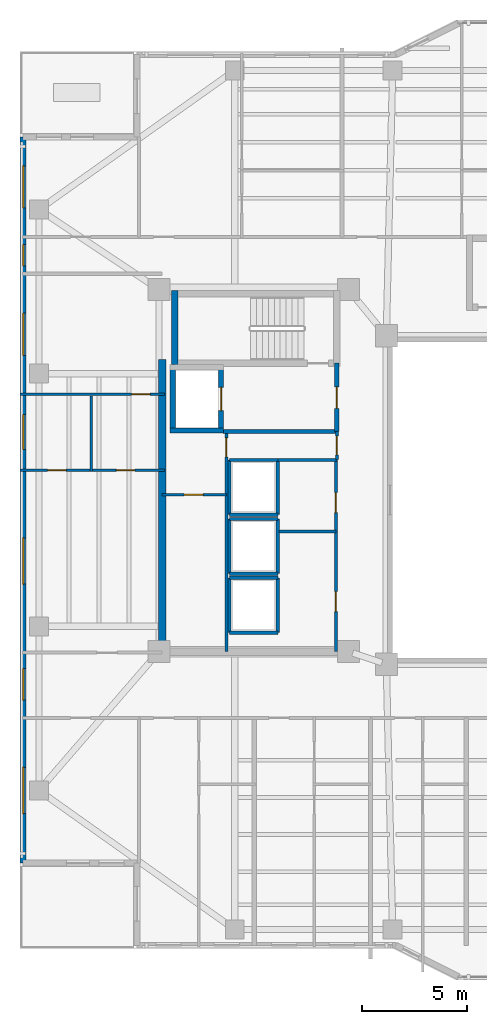
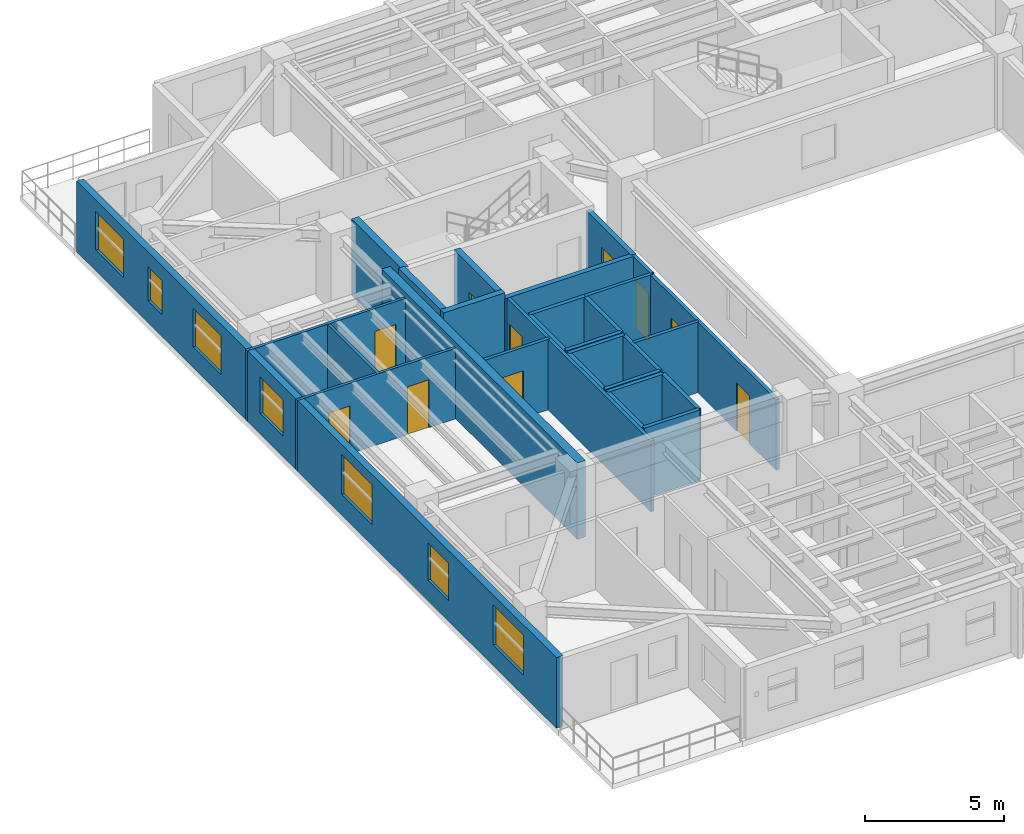
# One storey, part 7 of 17: 29 walls, 10 doors, 7 windows, 17 openings.
"""IFC4 building model written with IfcOpenShell, lengths in metres."""

import ifcopenshell
import ifcopenshell.guid

model = None  # the IFC model being written
_history = None  # IfcOwnerHistory: only IFC2X3 demands one
_inside = {}  # id of a spatial element -> (the spatial element, [elements in it])
_under = {}  # id of a project, library or spatial element -> (it, [spatial elements below it])
_declared = {}  # id of a project -> (the project, [libraries it declares])
_typed = {}  # id of a type object -> (the type object, [elements of that type])
_made_of = {}  # id of a material, layer set ... -> (it, [elements and type objects made of it])


def new_model(schema):
    """Start an empty IFC model of exactly this schema.

    Asked for "IFC4X3", IfcOpenShell would pick the latest addendum, in which some entities
    have other attributes; the version numbers below select the first issue.
    IFC2X3 requires an IfcOwnerHistory on every rooted entity: one is made here for all.
    """
    global model, _history
    if schema == "IFC4X3":
        model = ifcopenshell.file(schema_version=(4, 3, 0, 0))
    else:
        model = ifcopenshell.file(schema=schema)
    _inside.clear()
    _under.clear()
    _declared.clear()
    _typed.clear()
    _made_of.clear()
    _history = None
    if model.schema == "IFC2X3":
        org = make("IfcOrganization", Name="unknown")
        user = make(
            "IfcPersonAndOrganization",
            ThePerson=make("IfcPerson", FamilyName="unknown"),
            TheOrganization=org,
        )
        app = make(
            "IfcApplication",
            ApplicationDeveloper=org,
            Version="unknown",
            ApplicationFullName="unknown",
            ApplicationIdentifier="unknown",
        )
        _history = make(
            "IfcOwnerHistory",
            OwningUser=user,
            OwningApplication=app,
            ChangeAction="ADDED",
            CreationDate=0,
        )
    return model


def make(cls, **values):
    """One entity of the class cls with the attributes given. An attribute that is None is left unset."""
    return model.create_entity(
        cls, **{name: value for name, value in values.items() if value is not None}
    )


def rooted(cls, **values):
    """An entity with a GlobalId (a new one), such as an element, a storey or a relation."""
    return make(cls, GlobalId=ifcopenshell.guid.new(), OwnerHistory=_history, **values)


def si_unit(unit_type, name, prefix=None):
    """IfcSIUnit, for example si_unit("LENGTHUNIT", "METRE", prefix="MILLI")."""
    return make("IfcSIUnit", UnitType=unit_type, Prefix=prefix, Name=name)


def assignment(units):
    """IfcUnitAssignment: the units of a project."""
    return None if units is None else make("IfcUnitAssignment", Units=units)


def point(xyz):
    """IfcCartesianPoint."""
    return None if xyz is None else make("IfcCartesianPoint", Coordinates=xyz)


def direction(xyz):
    """IfcDirection."""
    return None if xyz is None else make("IfcDirection", DirectionRatios=xyz)


def frame(location, z_axis=None, x_axis=None):
    """IfcAxis2Placement3D, a coordinate frame: its origin and axes. An axis left out is left unset."""
    return make(
        "IfcAxis2Placement3D",
        Location=point(location),
        Axis=direction(z_axis),
        RefDirection=direction(x_axis),
    )


def frame_2d(location, x_axis=None):
    """IfcAxis2Placement2D, a coordinate frame in the plane: its origin and x axis."""
    return make(
        "IfcAxis2Placement2D", Location=point(location), RefDirection=direction(x_axis)
    )


def origin():
    """The frame at (0, 0, 0) with its axes left unset."""
    return frame((0.0, 0.0, 0.0))


def place(relative_to, where):
    """IfcLocalPlacement: puts the frame where relative to a parent placement (None: the world)."""
    return make(
        "IfcLocalPlacement", PlacementRelTo=relative_to, RelativePlacement=where
    )


def context(
    kind, dimensions, precision=None, world=None, true_north=None, identifier=None
):
    """IfcGeometricRepresentationContext, for example the 3D "Model" context."""
    return make(
        "IfcGeometricRepresentationContext",
        ContextIdentifier=identifier,
        ContextType=kind,
        CoordinateSpaceDimension=dimensions,
        Precision=precision,
        WorldCoordinateSystem=world,
        TrueNorth=true_north,
    )


def subcontext(parent, identifier, kind, view, scale=None):
    """IfcGeometricRepresentationSubContext, for example "Body" below "Model"."""
    return make(
        "IfcGeometricRepresentationSubContext",
        ContextIdentifier=identifier,
        ContextType=kind,
        ParentContext=parent,
        TargetScale=scale,
        TargetView=view,
    )


def project(units=None, contexts=None):
    """IfcProject with its units and contexts."""
    return rooted(
        "IfcProject",
        Name="project",
        RepresentationContexts=contexts,
        UnitsInContext=assignment(units),
    )


def spatial(cls, under=None, at=None, **own):
    """A site, building, storey or space (cls), placed at a placement, below another one or the project."""
    s = rooted(cls, ObjectPlacement=at, **own)
    if under is not None:
        _under.setdefault(under.id(), (under, []))[1].append(s)
    return s


def profile(cls, at=None, kind="AREA", **sizes):
    """A parametric profile (cls). Its sizes go by their IFC names, for example OverallWidth=200.0."""
    return make(cls, ProfileType=kind, Position=at, **sizes)


def rectangle(**sizes):
    """IfcRectangleProfileDef."""
    return profile("IfcRectangleProfileDef", **sizes)


def extrude(swept, where, along, depth):
    """IfcExtrudedAreaSolid: the profile swept, set in the frame where, extruded along a direction by depth."""
    return make(
        "IfcExtrudedAreaSolid",
        SweptArea=swept,
        Position=where,
        ExtrudedDirection=direction(along),
        Depth=depth,
    )


def shape(context_of_items, identifier, shape_type, items):
    """IfcShapeRepresentation: the items that make up one representation, for example the "Body"."""
    return make(
        "IfcShapeRepresentation",
        ContextOfItems=context_of_items,
        RepresentationIdentifier=identifier,
        RepresentationType=shape_type,
        Items=items,
    )


def material(Name=None, Category=None):
    """IfcMaterial."""
    return make("IfcMaterial", Name=Name, Category=Category)


def layer(
    of_material, thickness, ventilated=None, Name=None, Category=None, Priority=None
):
    """IfcMaterialLayer: one layer of a wall or slab, of a material (None: an air gap)."""
    return make(
        "IfcMaterialLayer",
        Material=of_material,
        LayerThickness=thickness,
        IsVentilated=ventilated,
        Name=Name,
        Category=Category,
        Priority=Priority,
    )


def layer_set(layers, Name=None):
    """IfcMaterialLayerSet."""
    return make("IfcMaterialLayerSet", MaterialLayers=layers, LayerSetName=Name)


def made_of(thing, what):
    """Note that an element or type object is made of a material, layer set ...; save() writes the relation."""
    if what is not None:
        _made_of.setdefault(what.id(), (what, []))[1].append(thing)
    return thing


def type_object(cls, material=None, **own):
    """A type object (cls), such as IfcWallType, which elements share."""
    return made_of(rooted(cls, **own), material)


def element(
    cls,
    number,
    at=None,
    inside=None,
    cuts=None,
    type_object=None,
    material=None,
    context=None,
    identifier="Body",
    shape_type=None,
    held_by="IfcProductDefinitionShape",
    body=None,
    shapes=None,
    **own,
):
    """One element of the class cls, such as IfcWall. Its Tag is "e" and its number.

    at: its placement. inside: the storey or other place that contains it. cuts: it is an
    opening in that element (IfcRelVoidsElement). A single representation is given by context,
    identifier, shape_type and body (its items); several are given by shapes. held_by: the class
    of the entity that holds the representations. save() writes the other relations.
    """
    e = rooted(cls, Tag="e%d" % number, ObjectPlacement=at, **own)
    if body is not None:
        shapes = [shape(context, identifier, shape_type, body)]
    if shapes is not None:
        e.Representation = make(held_by, Representations=shapes)
    if inside is not None:
        _inside.setdefault(inside.id(), (inside, []))[1].append(e)
    if cuts is not None:
        rooted(
            "IfcRelVoidsElement", RelatingBuildingElement=cuts, RelatedOpeningElement=e
        )
    if type_object is not None:
        _typed.setdefault(type_object.id(), (type_object, []))[1].append(e)
    return made_of(e, material)


def fill(opening, filler):
    """IfcRelFillsElement: the door or window that sits in an opening."""
    return rooted(
        "IfcRelFillsElement",
        RelatingOpeningElement=opening,
        RelatedBuildingElement=filler,
    )


def aggregate(whole, parts):
    """IfcRelAggregates: a whole, such as a stair, and the parts it consists of."""
    return rooted("IfcRelAggregates", RelatingObject=whole, RelatedObjects=parts)


def save(model, path):
    """Write the relations noted so far, then the file.

    IfcRelAggregates (storeys below a building ...), IfcRelContainedInSpatialStructure (elements
    in a storey), IfcRelDefinesByType, IfcRelAssociatesMaterial and IfcRelDeclares: one each for
    every whole, place, type object, material and project.
    """
    for whole, parts in _under.values():
        aggregate(whole, parts)
    for where, things in _inside.values():
        rooted(
            "IfcRelContainedInSpatialStructure",
            RelatedElements=things,
            RelatingStructure=where,
        )
    for kind, things in _typed.values():
        rooted("IfcRelDefinesByType", RelatedObjects=things, RelatingType=kind)
    for what, things in _made_of.values():
        rooted("IfcRelAssociatesMaterial", RelatedObjects=things, RelatingMaterial=what)
    for by, libraries in _declared.values():
        rooted("IfcRelDeclares", RelatingContext=by, RelatedDefinitions=libraries)
    model.write(path)


model = new_model("IFC4")

# Units and contexts
model_context = context("Model", 3, precision=1e-05, world=origin(), true_north=direction((0.0, 1.0)))
body_context = subcontext(model_context, "Body", "Model", "MODEL_VIEW")
ifc_project = project(units=[si_unit("LENGTHUNIT", "METRE"), si_unit("AREAUNIT", "SQUARE_METRE"), si_unit("VOLUMEUNIT", "CUBIC_METRE"), si_unit("PLANEANGLEUNIT", "RADIAN"), si_unit("MASSUNIT", "GRAM", prefix="KILO")], contexts=[model_context])

# Site, building, storey
site_placement = place(None, origin())
site = spatial("IfcSite", under=ifc_project, at=site_placement, CompositionType="ELEMENT")
building_placement = place(site_placement, origin())
building = spatial("IfcBuilding", under=site, at=building_placement, Name="Tarnavaz Court Tower", CompositionType="ELEMENT")
storey_placement = place(building_placement, frame((0.0, 0.0, 132.60009765625)))
storey = spatial("IfcBuildingStorey", under=building, at=storey_placement, Name="L35", CompositionType="ELEMENT", Elevation=132.60009765625)

# Wall
ifc_material_1 = material(Name="Concrete C50/60", Category="concrete")
ifc_layer_1 = layer(ifc_material_1, 0.25)
ifc_layer_set_1 = layer_set([ifc_layer_1], Name="Concrete C50/60")
wall_type_1 = type_object("IfcWallType", Name="WL-CORE-250-C50", PredefinedType="SHEAR", material=ifc_layer_set_1)
wall_1_placement = place(storey_placement, frame((-17.949951171875, 3.175048828125, 0.0), z_axis=(0.0, 0.0, 1.0), x_axis=(0.0, 1.0, 0.0)))
element("IfcWall", 1, at=wall_1_placement, inside=storey, type_object=wall_type_1, Name="L35 Lift FL-W1 Shaft Wall 017", PredefinedType="SHEAR", context=body_context, shape_type="SweptSolid", body=[
    extrude(rectangle(XDim=3.25, YDim=0.25, at=frame_2d((1.625, 0.0))), origin(), (0.0, 0.0, 1.0), 3.349853515625),
])

# Wall, opening, door
wall_2_placement = place(storey_placement, frame((-15.64990234375, 3.175048828125, 0.0), z_axis=(0.0, 0.0, 1.0), x_axis=(0.0, 1.0, 0.0)))
wall_2 = element("IfcWall", 2, at=wall_2_placement, inside=storey, type_object=wall_type_1, Name="L35 Lift FL-W1 Shaft Wall 018", PredefinedType="SHEAR", context=body_context, shape_type="SweptSolid", body=[
    extrude(rectangle(XDim=3.25, YDim=0.25, at=frame_2d((1.625, 0.0))), origin(), (0.0, 0.0, 1.0), 3.349853515625),
])
opening_1_placement = place(wall_2_placement, frame((1.074951171875, 0.0, 0.0)))
opening_1 = element("IfcOpeningElement", 3, at=opening_1_placement, cuts=wall_2, Name="Opening LD1", PredefinedType="OPENING", context=body_context, shape_type="SweptSolid", body=[
    extrude(rectangle(XDim=1.10009765625, YDim=2.14990234375, at=frame_2d((0.550048828125, 1.074951171875))), frame((0.0, 0.135009765625, 0.0), z_axis=(0.0, -1.0, 0.0), x_axis=(1.0, 0.0, 0.0)), (0.0, 0.0, 1.0), 0.27001953125),
])
ifc_material_2 = material(Name="Stainless Steel", Category="steel")
door_type_1 = type_object("IfcDoorType", Name="DR-LD-1100", OperationType="NOTDEFINED", PredefinedType="DOOR", material=ifc_material_2)
door_1_placement = place(opening_1_placement, origin())
door_1 = element("IfcDoor", 4, at=door_1_placement, inside=storey, type_object=door_type_1, Name="L35 Lift Landing Door LD-FL-W1", OperationType="SLIDING_TO_LEFT", OverallHeight=2.14990234375, OverallWidth=1.10009765625, PredefinedType="DOOR", context=body_context, shape_type="SweptSolid", body=[
    extrude(rectangle(XDim=1.10009765625, YDim=2.14990234375, at=frame_2d((0.550048828125, 1.074951171875))), frame((0.0, 0.02490234375, 0.0), z_axis=(0.0, -1.0, 0.0), x_axis=(1.0, 0.0, 0.0)), (0.0, 0.0, 1.0), 0.050048828125),
])
fill(opening_1, door_1)

# Walls
wall_3_placement = place(storey_placement, frame((-18.074951171875, 3.300048828125, 0.0), z_axis=(0.0, 0.0, 1.0), x_axis=(1.0, 0.0, 0.0)))
element("IfcWall", 5, at=wall_3_placement, inside=storey, type_object=wall_type_1, Name="L35 Lift FL-W1 Shaft Wall 019", PredefinedType="SHEAR", context=body_context, shape_type="SweptSolid", body=[
    extrude(rectangle(XDim=2.550048828125, YDim=0.25, at=frame_2d((1.27490234375, 0.0))), origin(), (0.0, 0.0, 1.0), 3.349853515625),
])
ifc_layer_2 = layer(ifc_material_1, 0.300048828125)
ifc_layer_set_2 = layer_set([ifc_layer_2], Name="Concrete C50/60")
wall_type_2 = type_object("IfcWallType", Name="WL-CORE-300-C50", PredefinedType="SHEAR", material=ifc_layer_set_2)
wall_4_placement = place(storey_placement, frame((-17.85009765625, 6.35009765625, 0.0), z_axis=(0.0, 0.0, 1.0), x_axis=(0.0, 1.0, 0.0)))
element("IfcWall", 6, at=wall_4_placement, inside=storey, type_object=wall_type_2, Name="L35 West Stair Core Wall 003", PredefinedType="SHEAR", context=body_context, shape_type="SweptSolid", body=[
    extrude(rectangle(XDim=3.58984375, YDim=0.300048828125, at=frame_2d((1.794921875, 0.0))), origin(), (0.0, 0.0, 1.0), 3.349853515625),
])
ifc_layer_3 = layer(ifc_material_1, 0.35009765625)
ifc_layer_set_3 = layer_set([ifc_layer_3], Name="Concrete C50/60")
wall_type_3 = type_object("IfcWallType", Name="WL-CORE-350-C50", PredefinedType="SHEAR", material=ifc_layer_set_3)
wall_5_placement = place(storey_placement, frame((-18.449951171875, -7.375, 0.0), z_axis=(0.0, 0.0, 1.0), x_axis=(0.0, 1.0, 0.0)))
element("IfcWall", 7, at=wall_5_placement, inside=storey, type_object=wall_type_3, Name="L35 West Core Shear Wall 057", PredefinedType="SHEAR", context=body_context, shape_type="SweptSolid", body=[
    extrude(rectangle(XDim=14.050048828125, YDim=0.35009765625, at=frame_2d((7.02490234375, 0.0))), origin(), (0.0, 0.0, 1.0), 3.349853515625),
])

# Wall, openings, windows
ifc_material_3 = material(Name="Precast Concrete C40/50", Category="concrete")
ifc_layer_4 = layer(ifc_material_3, 0.280029296875)
ifc_layer_set_4 = layer_set([ifc_layer_4], Name="Precast Concrete C40/50")
wall_type_4 = type_object("IfcWallType", Name="WL-EXT-280", PredefinedType="SOLIDWALL", material=ifc_layer_set_4)
wall_6_placement = place(storey_placement, frame((-25.050048828125, -17.25, 0.0), z_axis=(0.0, 0.0, 1.0), x_axis=(0.0, 1.0, 0.0)))
wall_6 = element("IfcWall", 8, at=wall_6_placement, inside=storey, type_object=wall_type_4, Name="L35 Exterior Terracotta Facade Wall 02", PredefinedType="SOLIDWALL", context=body_context, shape_type="SweptSolid", body=[
    extrude(rectangle(XDim=34.5, YDim=0.280029296875, at=frame_2d((17.25, 0.0))), origin(), (0.0, 0.0, 1.0), 3.099853515625),
])
opening_2_placement = place(wall_6_placement, frame((2.35009765625, 0.0, 0.89990234375)))
opening_2 = element("IfcOpeningElement", 9, at=opening_2_placement, cuts=wall_6, Name="Opening W07", PredefinedType="OPENING", context=body_context, shape_type="SweptSolid", body=[
    extrude(rectangle(XDim=2.199951171875, YDim=1.75, at=frame_2d((1.10009765625, 0.875))), frame((0.0, 0.14990234375, 0.0), z_axis=(0.0, -1.0, 0.0), x_axis=(1.0, 0.0, 0.0)), (0.0, 0.0, 1.0), 0.300048828125),
])
opening_3_placement = place(wall_6_placement, frame((7.742431640625, 0.0, 0.89990234375)))
opening_3 = element("IfcOpeningElement", 10, at=opening_3_placement, cuts=wall_6, Name="Opening W03", PredefinedType="OPENING", context=body_context, shape_type="SweptSolid", body=[
    extrude(rectangle(XDim=1.5, YDim=1.64990234375, at=frame_2d((0.75, 0.824951171875))), frame((0.0, 0.14990234375, 0.0), z_axis=(0.0, -1.0, 0.0), x_axis=(1.0, 0.0, 0.0)), (0.0, 0.0, 1.0), 0.300048828125),
])
opening_4_placement = place(wall_6_placement, frame((13.25, 0.0, 0.89990234375)))
opening_4 = element("IfcOpeningElement", 11, at=opening_4_placement, cuts=wall_6, Name="Opening W07", PredefinedType="OPENING", context=body_context, shape_type="SweptSolid", body=[
    extrude(rectangle(XDim=2.199951171875, YDim=1.75, at=frame_2d((1.10009765625, 0.875))), frame((0.0, 0.14990234375, 0.0), z_axis=(0.0, -1.0, 0.0), x_axis=(1.0, 0.0, 0.0)), (0.0, 0.0, 1.0), 0.300048828125),
])
opening_5_placement = place(wall_6_placement, frame((19.64990234375, 0.0, 0.89990234375)))
opening_5 = element("IfcOpeningElement", 12, at=opening_5_placement, cuts=wall_6, Name="Opening W02", PredefinedType="OPENING", context=body_context, shape_type="SweptSolid", body=[
    extrude(rectangle(XDim=1.64990234375, YDim=1.60009765625, at=frame_2d((0.824951171875, 0.800048828125))), frame((0.0, 0.14990234375, 0.0), z_axis=(0.0, -1.0, 0.0), x_axis=(1.0, 0.0, 0.0)), (0.0, 0.0, 1.0), 0.300048828125),
])
opening_6_placement = place(wall_6_placement, frame((24.125, 0.0, 0.89990234375)))
opening_6 = element("IfcOpeningElement", 13, at=opening_6_placement, cuts=wall_6, Name="Opening W08", PredefinedType="OPENING", context=body_context, shape_type="SweptSolid", body=[
    extrude(rectangle(XDim=2.0, YDim=1.699951171875, at=frame_2d((1.0, 0.85009765625))), frame((0.0, 0.14990234375, 0.0), z_axis=(0.0, -1.0, 0.0), x_axis=(1.0, 0.0, 0.0)), (0.0, 0.0, 1.0), 0.300048828125),
])
opening_7_placement = place(wall_6_placement, frame((28.375, 0.0, 0.949951171875)))
opening_7 = element("IfcOpeningElement", 14, at=opening_7_placement, cuts=wall_6, Name="Opening W14", PredefinedType="OPENING", context=body_context, shape_type="SweptSolid", body=[
    extrude(rectangle(XDim=1.0, YDim=1.5, at=frame_2d((0.5, 0.75))), frame((0.0, 0.14990234375, 0.0), z_axis=(0.0, -1.0, 0.0), x_axis=(1.0, 0.0, 0.0)), (0.0, 0.0, 1.0), 0.300048828125),
])
opening_8_placement = place(wall_6_placement, frame((31.125, 0.0, 0.89990234375)))
opening_8 = element("IfcOpeningElement", 15, at=opening_8_placement, cuts=wall_6, Name="Opening W08", PredefinedType="OPENING", context=body_context, shape_type="SweptSolid", body=[
    extrude(rectangle(XDim=2.0, YDim=1.699951171875, at=frame_2d((1.0, 0.85009765625))), frame((0.0, 0.14990234375, 0.0), z_axis=(0.0, -1.0, 0.0), x_axis=(1.0, 0.0, 0.0)), (0.0, 0.0, 1.0), 0.300048828125),
])
ifc_material_4 = material(Name="Double-Glazed Solar Low-E Glass", Category="glass")
window_type_1 = type_object("IfcWindowType", Name="WN-APT-1000", PartitioningType="SINGLE_PANEL", PredefinedType="WINDOW", material=ifc_material_4)
window_1_placement = place(opening_7_placement, origin())
window_1 = element("IfcWindow", 16, at=window_1_placement, inside=storey, type_object=window_type_1, Name="L35 North-West Corner Corridor Window", OverallHeight=1.5, OverallWidth=1.0, PartitioningType="SINGLE_PANEL", PredefinedType="WINDOW", context=body_context, shape_type="SweptSolid", body=[
    extrude(rectangle(XDim=1.0, YDim=1.5, at=frame_2d((0.5, 0.75))), frame((0.0, 0.030029296875, 0.0), z_axis=(0.0, -1.0, 0.0), x_axis=(1.0, 0.0, 0.0)), (0.0, 0.0, 1.0), 0.06005859375),
])
fill(opening_7, window_1)
window_type_2 = type_object("IfcWindowType", Name="WN-APT-1500", PartitioningType="DOUBLE_PANEL_VERTICAL", PredefinedType="WINDOW", material=ifc_material_4)
window_2_placement = place(opening_3_placement, origin())
window_2 = element("IfcWindow", 17, at=window_2_placement, inside=storey, type_object=window_type_2, Name="L35 South-West Corner Corridor Window", OverallHeight=1.64990234375, OverallWidth=1.5, PartitioningType="SINGLE_PANEL", PredefinedType="WINDOW", context=body_context, shape_type="SweptSolid", body=[
    extrude(rectangle(XDim=1.5, YDim=1.64990234375, at=frame_2d((0.75, 0.824951171875))), frame((0.0, 0.030029296875, 0.0), z_axis=(0.0, -1.0, 0.0), x_axis=(1.0, 0.0, 0.0)), (0.0, 0.0, 1.0), 0.06005859375),
])
fill(opening_3, window_2)
window_type_3 = type_object("IfcWindowType", Name="WN-APT-1650", PartitioningType="DOUBLE_PANEL_VERTICAL", PredefinedType="WINDOW", material=ifc_material_4)
window_3_placement = place(opening_5_placement, origin())
window_3 = element("IfcWindow", 18, at=window_3_placement, inside=storey, type_object=window_type_3, Name="L35 Flat 11 Kitchen Window", OverallHeight=1.60009765625, OverallWidth=1.64990234375, PartitioningType="SINGLE_PANEL", PredefinedType="WINDOW", context=body_context, shape_type="SweptSolid", body=[
    extrude(rectangle(XDim=1.64990234375, YDim=1.60009765625, at=frame_2d((0.824951171875, 0.800048828125))), frame((0.0, 0.030029296875, 0.0), z_axis=(0.0, -1.0, 0.0), x_axis=(1.0, 0.0, 0.0)), (0.0, 0.0, 1.0), 0.06005859375),
])
fill(opening_5, window_3)
window_type_4 = type_object("IfcWindowType", Name="WN-APT-2000", PartitioningType="DOUBLE_PANEL_VERTICAL", PredefinedType="WINDOW", material=ifc_material_4)
window_4_placement = place(opening_6_placement, origin())
window_4 = element("IfcWindow", 19, at=window_4_placement, inside=storey, type_object=window_type_4, Name="L35 Flat 11 Study Room Window", OverallHeight=1.699951171875, OverallWidth=2.0, PartitioningType="SINGLE_PANEL", PredefinedType="WINDOW", context=body_context, shape_type="SweptSolid", body=[
    extrude(rectangle(XDim=2.0, YDim=1.699951171875, at=frame_2d((1.0, 0.85009765625))), frame((0.0, 0.030029296875, 0.0), z_axis=(0.0, -1.0, 0.0), x_axis=(1.0, 0.0, 0.0)), (0.0, 0.0, 1.0), 0.06005859375),
])
fill(opening_6, window_4)
window_5_placement = place(opening_8_placement, origin())
window_5 = element("IfcWindow", 20, at=window_5_placement, inside=storey, type_object=window_type_4, Name="L35 North-West Corner Sunroom Study Window", OverallHeight=1.699951171875, OverallWidth=2.0, PartitioningType="SINGLE_PANEL", PredefinedType="WINDOW", context=body_context, shape_type="SweptSolid", body=[
    extrude(rectangle(XDim=2.0, YDim=1.699951171875, at=frame_2d((1.0, 0.85009765625))), frame((0.0, 0.030029296875, 0.0), z_axis=(0.0, -1.0, 0.0), x_axis=(1.0, 0.0, 0.0)), (0.0, 0.0, 1.0), 0.06005859375),
])
fill(opening_8, window_5)
window_type_5 = type_object("IfcWindowType", Name="WN-APT-2200", PartitioningType="TRIPLE_PANEL_VERTICAL", PredefinedType="WINDOW", material=ifc_material_4)
window_6_placement = place(opening_2_placement, origin())
window_6 = element("IfcWindow", 21, at=window_6_placement, inside=storey, type_object=window_type_5, Name="L35 South-West Corner Reading Room Window", OverallHeight=1.75, OverallWidth=2.199951171875, PartitioningType="SINGLE_PANEL", PredefinedType="WINDOW", context=body_context, shape_type="SweptSolid", body=[
    extrude(rectangle(XDim=2.199951171875, YDim=1.75, at=frame_2d((1.10009765625, 0.875))), frame((0.0, 0.030029296875, 0.0), z_axis=(0.0, -1.0, 0.0), x_axis=(1.0, 0.0, 0.0)), (0.0, 0.0, 1.0), 0.06005859375),
])
fill(opening_2, window_6)
window_7_placement = place(opening_4_placement, origin())
window_7 = element("IfcWindow", 22, at=window_7_placement, inside=storey, type_object=window_type_5, Name="L35 Flat 11 Studio Living and Sleeping Room Window", OverallHeight=1.75, OverallWidth=2.199951171875, PartitioningType="SINGLE_PANEL", PredefinedType="WINDOW", context=body_context, shape_type="SweptSolid", body=[
    extrude(rectangle(XDim=2.199951171875, YDim=1.75, at=frame_2d((1.10009765625, 0.875))), frame((0.0, 0.030029296875, 0.0), z_axis=(0.0, -1.0, 0.0), x_axis=(1.0, 0.0, 0.0)), (0.0, 0.0, 1.0), 0.06005859375),
])
fill(opening_4, window_7)

# Wall
ifc_material_5 = material(Name="Autoclaved Aerated Concrete Blockwork", Category="masonry")
ifc_layer_5 = layer(ifc_material_5, 0.199951171875)
ifc_layer_set_5 = layer_set([ifc_layer_5], Name="Autoclaved Aerated Concrete Blockwork")
wall_type_5 = type_object("IfcWallType", Name="WL-FIRE-200", PredefinedType="SOLIDWALL", material=ifc_layer_set_5)
wall_7_placement = place(storey_placement, frame((-15.550048828125, 3.25, 0.0), z_axis=(0.0, 0.0, 1.0), x_axis=(1.0, 0.0, 0.0)))
element("IfcWall", 23, at=wall_7_placement, inside=storey, type_object=wall_type_5, Name="L35 West Firefighting Lobby Wall 013", PredefinedType="SOLIDWALL", context=body_context, shape_type="SweptSolid", body=[
    extrude(rectangle(XDim=5.400146484375, YDim=0.199951171875, at=frame_2d((2.7001953125, 0.0))), origin(), (0.0, 0.0, 1.0), 3.099853515625),
])

# Wall, opening, door
wall_8_placement = place(storey_placement, frame((-10.14990234375, 3.25, 0.0), z_axis=(0.0, 0.0, 1.0), x_axis=(0.0, 1.0, 0.0)))
wall_8 = element("IfcWall", 24, at=wall_8_placement, inside=storey, type_object=wall_type_5, Name="L35 West Firefighting Lobby Wall 014", PredefinedType="SOLIDWALL", context=body_context, shape_type="SweptSolid", body=[
    extrude(rectangle(XDim=3.25, YDim=0.199951171875, at=frame_2d((1.625, 0.0))), origin(), (0.0, 0.0, 1.0), 3.099853515625),
])
opening_9_placement = place(wall_8_placement, frame((1.10009765625, 0.0, 0.0)))
opening_9 = element("IfcOpeningElement", 25, at=opening_9_placement, cuts=wall_8, Name="Opening D05", PredefinedType="OPENING", context=body_context, shape_type="SweptSolid", body=[
    extrude(rectangle(XDim=1.02001953125, YDim=2.14990234375, at=frame_2d((0.510009765625, 1.074951171875))), frame((0.0, 0.10986328125, 0.0), z_axis=(0.0, -1.0, 0.0), x_axis=(1.0, 0.0, 0.0)), (0.0, 0.0, 1.0), 0.219970703125),
])
ifc_material_6 = material(Name="Fire-Rated Hardwood Timber Core", Category="wood")
door_type_2 = type_object("IfcDoorType", Name="DR-FD60-1000", OperationType="NOTDEFINED", PredefinedType="DOOR", material=ifc_material_6)
door_2_placement = place(opening_9_placement, origin())
door_2 = element("IfcDoor", 26, at=door_2_placement, inside=storey, type_object=door_type_2, Name="L35 West Firefighting Lobby Door", OperationType="SINGLE_SWING_RIGHT", OverallHeight=2.14990234375, OverallWidth=1.02001953125, PredefinedType="DOOR", context=body_context, shape_type="SweptSolid", body=[
    extrude(rectangle(XDim=1.02001953125, YDim=2.14990234375, at=frame_2d((0.510009765625, 1.074951171875))), frame((0.0, 0.02490234375, 0.0), z_axis=(0.0, -1.0, 0.0), x_axis=(1.0, 0.0, 0.0)), (0.0, 0.0, 1.0), 0.050048828125),
])
fill(opening_9, door_2)

# Wall, openings, doors
ifc_material_7 = material(Name="Moisture-Resistant Gypsum Board Partition", Category="masonry")
ifc_layer_6 = layer(ifc_material_7, 0.1201171875)
ifc_layer_set_6 = layer_set([ifc_layer_6], Name="Moisture-Resistant Gypsum Board Partition")
wall_type_6 = type_object("IfcWallType", Name="WL-PART-120", PredefinedType="PARTITIONING", material=ifc_layer_set_6)
wall_9_placement = place(storey_placement, frame((-25.199951171875, 1.419921875, 0.0), z_axis=(0.0, 0.0, 1.0), x_axis=(1.0, 0.0, 0.0)))
wall_9 = element("IfcWall", 27, at=wall_9_placement, inside=storey, type_object=wall_type_6, Name="L35 Interior Partition 126", PredefinedType="PARTITIONING", context=body_context, shape_type="SweptSolid", body=[
    extrude(rectangle(XDim=6.869873046875, YDim=0.1201171875, at=frame_2d((3.43505859375, 0.0))), origin(), (0.0, 0.0, 1.0), 3.099853515625),
])
opening_10_placement = place(wall_9_placement, frame((1.31201171875, 0.0, 0.0)))
opening_10 = element("IfcOpeningElement", 28, at=opening_10_placement, cuts=wall_9, Name="Opening D14", PredefinedType="OPENING", context=body_context, shape_type="SweptSolid", body=[
    extrude(rectangle(XDim=0.8798828125, YDim=2.10009765625, at=frame_2d((0.43994140625, 1.050048828125))), frame((0.0, 0.070068359375, 0.0), z_axis=(0.0, -1.0, 0.0), x_axis=(1.0, 0.0, 0.0)), (0.0, 0.0, 1.0), 0.14013671875),
])
opening_11_placement = place(wall_9_placement, frame((4.576904296875, 0.0, 0.0)))
opening_11 = element("IfcOpeningElement", 29, at=opening_11_placement, cuts=wall_9, Name="Opening D14", PredefinedType="OPENING", context=body_context, shape_type="SweptSolid", body=[
    extrude(rectangle(XDim=0.8798828125, YDim=2.10009765625, at=frame_2d((0.43994140625, 1.050048828125))), frame((0.0, 0.070068359375, 0.0), z_axis=(0.0, -1.0, 0.0), x_axis=(1.0, 0.0, 0.0)), (0.0, 0.0, 1.0), 0.14013671875),
])
ifc_material_8 = material(Name="Engineered Oak Timber", Category="wood")
door_type_3 = type_object("IfcDoorType", Name="DR-INT-900", OperationType="NOTDEFINED", PredefinedType="DOOR", material=ifc_material_8)
door_3_placement = place(opening_10_placement, origin())
door_3 = element("IfcDoor", 30, at=door_3_placement, inside=storey, type_object=door_type_3, Name="L35 Flat 11 Kitchen Door", OperationType="SINGLE_SWING_RIGHT", OverallHeight=2.10009765625, OverallWidth=0.8798828125, PredefinedType="DOOR", context=body_context, shape_type="SweptSolid", body=[
    extrude(rectangle(XDim=0.8798828125, YDim=2.10009765625, at=frame_2d((0.43994140625, 1.050048828125))), frame((0.0, 0.02490234375, 0.0), z_axis=(0.0, -1.0, 0.0), x_axis=(1.0, 0.0, 0.0)), (0.0, 0.0, 1.0), 0.050048828125),
])
fill(opening_10, door_3)
door_4_placement = place(opening_11_placement, origin())
door_4 = element("IfcDoor", 31, at=door_4_placement, inside=storey, type_object=door_type_3, Name="L35 Flat 11 Bathroom Door", OperationType="SINGLE_SWING_LEFT", OverallHeight=2.10009765625, OverallWidth=0.8798828125, PredefinedType="DOOR", context=body_context, shape_type="SweptSolid", body=[
    extrude(rectangle(XDim=0.8798828125, YDim=2.10009765625, at=frame_2d((0.43994140625, 1.050048828125))), frame((0.0, 0.02490234375, 0.0), z_axis=(0.0, -1.0, 0.0), x_axis=(1.0, 0.0, 0.0)), (0.0, 0.0, 1.0), 0.050048828125),
])
fill(opening_11, door_4)

# Wall, opening, door
wall_10_placement = place(storey_placement, frame((-25.199951171875, 5.02001953125, 0.0), z_axis=(0.0, 0.0, 1.0), x_axis=(1.0, 0.0, 0.0)))
wall_10 = element("IfcWall", 32, at=wall_10_placement, inside=storey, type_object=wall_type_6, Name="L35 Interior Partition 127", PredefinedType="PARTITIONING", context=body_context, shape_type="SweptSolid", body=[
    extrude(rectangle(XDim=6.869873046875, YDim=0.1201171875, at=frame_2d((3.43505859375, 0.0))), origin(), (0.0, 0.0, 1.0), 3.099853515625),
])
opening_12_placement = place(wall_10_placement, frame((5.300048828125, 0.0, 0.0)))
opening_12 = element("IfcOpeningElement", 33, at=opening_12_placement, cuts=wall_10, Name="Opening D14", PredefinedType="OPENING", context=body_context, shape_type="SweptSolid", body=[
    extrude(rectangle(XDim=0.8798828125, YDim=2.10009765625, at=frame_2d((0.43994140625, 1.050048828125))), frame((0.0, 0.070068359375, 0.0), z_axis=(0.0, -1.0, 0.0), x_axis=(1.0, 0.0, 0.0)), (0.0, 0.0, 1.0), 0.14013671875),
])
door_5_placement = place(opening_12_placement, origin())
door_5 = element("IfcDoor", 34, at=door_5_placement, inside=storey, type_object=door_type_3, Name="L35 Flat 11 Study Door", OperationType="SINGLE_SWING_RIGHT", OverallHeight=2.10009765625, OverallWidth=0.8798828125, PredefinedType="DOOR", context=body_context, shape_type="SweptSolid", body=[
    extrude(rectangle(XDim=0.8798828125, YDim=2.10009765625, at=frame_2d((0.43994140625, 1.050048828125))), frame((0.0, 0.02490234375, 0.0), z_axis=(0.0, -1.0, 0.0), x_axis=(1.0, 0.0, 0.0)), (0.0, 0.0, 1.0), 0.050048828125),
])
fill(opening_12, door_5)

# Walls
wall_11_placement = place(storey_placement, frame((-21.81494140625, 1.360107421875, 0.0), z_axis=(0.0, 0.0, 1.0), x_axis=(0.0, 1.0, 0.0)))
element("IfcWall", 35, at=wall_11_placement, inside=storey, type_object=wall_type_6, Name="L35 Interior Partition 128", PredefinedType="PARTITIONING", context=body_context, shape_type="SweptSolid", body=[
    extrude(rectangle(XDim=3.579833984375, YDim=0.1201171875, at=frame_2d((1.7900390625, 0.0))), origin(), (0.0, 0.0, 1.0), 3.099853515625),
])
ifc_material_9 = material(Name="Gypsum Plasterboard Acoustic Partition", Category="masonry")
ifc_layer_7 = layer(ifc_material_9, 0.139892578125)
ifc_layer_set_7 = layer_set([ifc_layer_7], Name="Gypsum Plasterboard Acoustic Partition")
wall_type_7 = type_object("IfcWallType", Name="WL-PART-150", PredefinedType="PARTITIONING", material=ifc_layer_set_7)
wall_12_placement = place(storey_placement, frame((-12.949951171875, 1.89990234375, 0.0), z_axis=(0.0, 0.0, 1.0), x_axis=(1.0, 0.0, 0.0)))
element("IfcWall", 36, at=wall_12_placement, inside=storey, type_object=wall_type_7, Name="L35 Interior Partition 061", PredefinedType="PARTITIONING", context=body_context, shape_type="SweptSolid", body=[
    extrude(rectangle(XDim=2.800048828125, YDim=0.139892578125, at=frame_2d((1.39990234375, 0.0))), origin(), (0.0, 0.0, 1.0), 3.099853515625),
])

# Wall, opening, door
wall_13_placement = place(storey_placement, frame((-10.14990234375, 1.919921875, 0.0), z_axis=(0.0, 0.0, 1.0), x_axis=(0.0, 1.0, 0.0)))
wall_13 = element("IfcWall", 37, at=wall_13_placement, inside=storey, type_object=wall_type_7, Name="L35 Interior Partition 062", PredefinedType="PARTITIONING", context=body_context, shape_type="SweptSolid", body=[
    extrude(rectangle(XDim=1.330078125, YDim=0.139892578125, at=frame_2d((0.6650390625, 0.0))), origin(), (0.0, 0.0, 1.0), 3.099853515625),
])
opening_13_placement = place(wall_13_placement, frame((0.219970703125, 0.0, 0.0)))
opening_13 = element("IfcOpeningElement", 38, at=opening_13_placement, cuts=wall_13, Name="Opening D09", PredefinedType="OPENING", context=body_context, shape_type="SweptSolid", body=[
    extrude(rectangle(XDim=0.89990234375, YDim=2.080078125, at=frame_2d((0.449951171875, 1.0400390625))), frame((0.0, 0.079833984375, 0.0), z_axis=(0.0, -1.0, 0.0), x_axis=(1.0, 0.0, 0.0)), (0.0, 0.0, 1.0), 0.159912109375),
])
door_type_4 = type_object("IfcDoorType", Name="DR-FD30-900", OperationType="NOTDEFINED", PredefinedType="DOOR", material=ifc_material_6)
door_6_placement = place(opening_13_placement, origin())
door_6 = element("IfcDoor", 39, at=door_6_placement, inside=storey, type_object=door_type_4, Name="L35 West Core Service Lobby Door", OperationType="SINGLE_SWING_LEFT", OverallHeight=2.080078125, OverallWidth=0.89990234375, PredefinedType="DOOR", context=body_context, shape_type="SweptSolid", body=[
    extrude(rectangle(XDim=0.89990234375, YDim=2.080078125, at=frame_2d((0.449951171875, 1.0400390625))), frame((0.0, 0.02490234375, 0.0), z_axis=(0.0, -1.0, 0.0), x_axis=(1.0, 0.0, 0.0)), (0.0, 0.0, 1.0), 0.050048828125),
])
fill(opening_13, door_6)

wall_14_placement = place(storey_placement, frame((-15.39990234375, -7.199951171875, 0.0), z_axis=(0.0, 0.0, 1.0), x_axis=(0.0, 1.0, 0.0)))
wall_14 = element("IfcWall", 40, at=wall_14_placement, inside=storey, type_object=wall_type_7, Name="L35 Interior Partition 063", PredefinedType="PARTITIONING", context=body_context, shape_type="SweptSolid", body=[
    extrude(rectangle(XDim=10.449951171875, YDim=0.139892578125, at=frame_2d((5.22509765625, 0.0))), origin(), (0.0, 0.0, 1.0), 3.099853515625),
])
opening_14_placement = place(wall_14_placement, frame((9.25, 0.0, 0.0)))
opening_14 = element("IfcOpeningElement", 41, at=opening_14_placement, cuts=wall_14, Name="Opening D09", PredefinedType="OPENING", context=body_context, shape_type="SweptSolid", body=[
    extrude(rectangle(XDim=0.89990234375, YDim=2.080078125, at=frame_2d((0.449951171875, 1.0400390625))), frame((0.0, 0.079833984375, 0.0), z_axis=(0.0, -1.0, 0.0), x_axis=(1.0, 0.0, 0.0)), (0.0, 0.0, 1.0), 0.159912109375),
])
door_7_placement = place(opening_14_placement, origin())
door_7 = element("IfcDoor", 42, at=door_7_placement, inside=storey, type_object=door_type_4, Name="L35 West Data Room Door", OperationType="SINGLE_SWING_RIGHT", OverallHeight=2.080078125, OverallWidth=0.89990234375, PredefinedType="DOOR", context=body_context, shape_type="SweptSolid", body=[
    extrude(rectangle(XDim=0.89990234375, YDim=2.080078125, at=frame_2d((0.449951171875, 1.0400390625))), frame((0.0, 0.02490234375, 0.0), z_axis=(0.0, -1.0, 0.0), x_axis=(1.0, 0.0, 0.0)), (0.0, 0.0, 1.0), 0.050048828125),
])
fill(opening_14, door_7)

wall_15_placement = place(storey_placement, frame((-18.449951171875, 0.25, 0.0), z_axis=(0.0, 0.0, 1.0), x_axis=(1.0, 0.0, 0.0)))
wall_15 = element("IfcWall", 43, at=wall_15_placement, inside=storey, type_object=wall_type_7, Name="L35 Interior Partition 064", PredefinedType="PARTITIONING", context=body_context, shape_type="SweptSolid", body=[
    extrude(rectangle(XDim=3.050048828125, YDim=0.139892578125, at=frame_2d((1.52490234375, 0.0))), origin(), (0.0, 0.0, 1.0), 3.099853515625),
])
opening_15_placement = place(wall_15_placement, frame((1.050048828125, 0.0, 0.0)))
opening_15 = element("IfcOpeningElement", 44, at=opening_15_placement, cuts=wall_15, Name="Opening D09", PredefinedType="OPENING", context=body_context, shape_type="SweptSolid", body=[
    extrude(rectangle(XDim=0.89990234375, YDim=2.080078125, at=frame_2d((0.449951171875, 1.0400390625))), frame((0.0, 0.079833984375, 0.0), z_axis=(0.0, -1.0, 0.0), x_axis=(1.0, 0.0, 0.0)), (0.0, 0.0, 1.0), 0.159912109375),
])
door_8_placement = place(opening_15_placement, origin())
door_8 = element("IfcDoor", 45, at=door_8_placement, inside=storey, type_object=door_type_4, Name="L35 West Mechanical Riser Door", OperationType="SINGLE_SWING_LEFT", OverallHeight=2.080078125, OverallWidth=0.89990234375, PredefinedType="DOOR", context=body_context, shape_type="SweptSolid", body=[
    extrude(rectangle(XDim=0.89990234375, YDim=2.080078125, at=frame_2d((0.449951171875, 1.0400390625))), frame((0.0, 0.02490234375, 0.0), z_axis=(0.0, -1.0, 0.0), x_axis=(1.0, 0.0, 0.0)), (0.0, 0.0, 1.0), 0.050048828125),
])
fill(opening_15, door_8)

# Wall, openings, doors
wall_16_placement = place(storey_placement, frame((-10.199951171875, -7.199951171875, 0.0), z_axis=(0.0, 0.0, 1.0), x_axis=(0.0, 1.0, 0.0)))
wall_16 = element("IfcWall", 46, at=wall_16_placement, inside=storey, type_object=wall_type_7, Name="L35 West Reclaimed Core Wall 065", PredefinedType="PARTITIONING", context=body_context, shape_type="SweptSolid", body=[
    extrude(rectangle(XDim=9.119873046875, YDim=0.139892578125, at=frame_2d((4.56005859375, 0.0))), origin(), (0.0, 0.0, 1.0), 3.099853515625),
])
opening_16_placement = place(wall_16_placement, frame((1.89990234375, 0.0, 0.0)))
opening_16 = element("IfcOpeningElement", 47, at=opening_16_placement, cuts=wall_16, Name="Opening D08", PredefinedType="OPENING", context=body_context, shape_type="SweptSolid", body=[
    extrude(rectangle(XDim=0.949951171875, YDim=2.1201171875, at=frame_2d((0.47509765625, 1.06005859375))), frame((0.0, 0.079833984375, 0.0), z_axis=(0.0, -1.0, 0.0), x_axis=(1.0, 0.0, 0.0)), (0.0, 0.0, 1.0), 0.159912109375),
])
opening_17_placement = place(wall_16_placement, frame((6.60009765625, 0.0, 0.0)))
opening_17 = element("IfcOpeningElement", 48, at=opening_17_placement, cuts=wall_16, Name="Opening D08", PredefinedType="OPENING", context=body_context, shape_type="SweptSolid", body=[
    extrude(rectangle(XDim=0.949951171875, YDim=2.1201171875, at=frame_2d((0.47509765625, 1.06005859375))), frame((0.0, 0.079833984375, 0.0), z_axis=(0.0, -1.0, 0.0), x_axis=(1.0, 0.0, 0.0)), (0.0, 0.0, 1.0), 0.159912109375),
])
door_type_5 = type_object("IfcDoorType", Name="DR-FD30-950", OperationType="NOTDEFINED", PredefinedType="DOOR", material=ifc_material_6)
door_9_placement = place(opening_16_placement, origin())
door_9 = element("IfcDoor", 49, at=door_9_placement, inside=storey, type_object=door_type_5, Name="L35 West Study Room Door", OperationType="SINGLE_SWING_RIGHT", OverallHeight=2.1201171875, OverallWidth=0.949951171875, PredefinedType="DOOR", context=body_context, shape_type="SweptSolid", body=[
    extrude(rectangle(XDim=0.949951171875, YDim=2.1201171875, at=frame_2d((0.47509765625, 1.06005859375))), frame((0.0, 0.02490234375, 0.0), z_axis=(0.0, -1.0, 0.0), x_axis=(1.0, 0.0, 0.0)), (0.0, 0.0, 1.0), 0.050048828125),
])
fill(opening_16, door_9)
door_10_placement = place(opening_17_placement, origin())
door_10 = element("IfcDoor", 50, at=door_10_placement, inside=storey, type_object=door_type_5, Name="L35 West Laundry Room Door", OperationType="SINGLE_SWING_LEFT", OverallHeight=2.1201171875, OverallWidth=0.949951171875, PredefinedType="DOOR", context=body_context, shape_type="SweptSolid", body=[
    extrude(rectangle(XDim=0.949951171875, YDim=2.1201171875, at=frame_2d((0.47509765625, 1.06005859375))), frame((0.0, 0.02490234375, 0.0), z_axis=(0.0, -1.0, 0.0), x_axis=(1.0, 0.0, 0.0)), (0.0, 0.0, 1.0), 0.050048828125),
])
fill(opening_17, door_10)

# Walls
wall_17_placement = place(storey_placement, frame((-12.89990234375, -1.5, 0.0), z_axis=(0.0, 0.0, 1.0), x_axis=(1.0, 0.0, 0.0)))
element("IfcWall", 51, at=wall_17_placement, inside=storey, type_object=wall_type_7, Name="L35 Interior Partition 066", PredefinedType="PARTITIONING", context=body_context, shape_type="SweptSolid", body=[
    extrude(rectangle(XDim=2.699951171875, YDim=0.139892578125, at=frame_2d((1.35009765625, 0.0))), origin(), (0.0, 0.0, 1.0), 3.099853515625),
])
ifc_layer_8 = layer(ifc_material_5, 0.159912109375)
ifc_layer_set_8 = layer_set([ifc_layer_8], Name="Autoclaved Aerated Concrete Blockwork")
wall_type_8 = type_object("IfcWallType", Name="WL-SHAFT-150", PredefinedType="SOLIDWALL", material=ifc_layer_set_8)
for number, where, z_axis, x_axis, name in (
    (52, (-15.25, -6.300048828125, 0.0), (0.0, 0.0, 1.0), (0.0, 1.0, 0.0), "L35 Lift PL-H1 Shaft Wall 021"),
    (53, (-12.949951171875, -6.300048828125, 0.0), (0.0, 0.0, 1.0), (0.0, 1.0, 0.0), "L35 Lift PL-H1 Shaft Wall 022"),
):
    element("IfcWall", number, at=place(storey_placement, frame(where, z_axis=z_axis, x_axis=x_axis)), inside=storey, type_object=wall_type_8, Name=name, PredefinedType="SOLIDWALL", context=body_context, shape_type="SweptSolid", body=[
        extrude(rectangle(XDim=2.60009765625, YDim=0.159912109375, at=frame_2d((1.300048828125, 0.0))), origin(), (0.0, 0.0, 1.0), 3.099853515625),
    ])
for number, where, z_axis, x_axis, name in (
    (54, (-15.25, -6.300048828125, 0.0), (0.0, 0.0, 1.0), (1.0, 0.0, 0.0), "L35 Lift PL-H1 Shaft Wall 023"),
    (55, (-15.25, -3.699951171875, 0.0), (0.0, 0.0, 1.0), (1.0, 0.0, 0.0), "L35 Lift PL-H1 Shaft Wall 024"),
):
    element("IfcWall", number, at=place(storey_placement, frame(where, z_axis=z_axis, x_axis=x_axis)), inside=storey, type_object=wall_type_8, Name=name, PredefinedType="SOLIDWALL", context=body_context, shape_type="SweptSolid", body=[
        extrude(rectangle(XDim=2.300048828125, YDim=0.159912109375, at=frame_2d((1.14990234375, 0.0))), origin(), (0.0, 0.0, 1.0), 3.099853515625),
    ])
for number, where, z_axis, x_axis, name in (
    (56, (-15.25, -3.5, 0.0), (0.0, 0.0, 1.0), (0.0, 1.0, 0.0), "L35 Lift PL-H2 Shaft Wall 025"),
    (57, (-12.949951171875, -3.5, 0.0), (0.0, 0.0, 1.0), (0.0, 1.0, 0.0), "L35 Lift PL-H2 Shaft Wall 026"),
):
    element("IfcWall", number, at=place(storey_placement, frame(where, z_axis=z_axis, x_axis=x_axis)), inside=storey, type_object=wall_type_8, Name=name, PredefinedType="SOLIDWALL", context=body_context, shape_type="SweptSolid", body=[
        extrude(rectangle(XDim=2.60009765625, YDim=0.159912109375, at=frame_2d((1.300048828125, 0.0))), origin(), (0.0, 0.0, 1.0), 3.099853515625),
    ])
for number, where, z_axis, x_axis, name in (
    (58, (-15.25, -3.5, 0.0), (0.0, 0.0, 1.0), (1.0, 0.0, 0.0), "L35 Lift PL-H2 Shaft Wall 027"),
    (59, (-15.25, -0.89990234375, 0.0), (0.0, 0.0, 1.0), (1.0, 0.0, 0.0), "L35 Lift PL-H2 Shaft Wall 028"),
):
    element("IfcWall", number, at=place(storey_placement, frame(where, z_axis=z_axis, x_axis=x_axis)), inside=storey, type_object=wall_type_8, Name=name, PredefinedType="SOLIDWALL", context=body_context, shape_type="SweptSolid", body=[
        extrude(rectangle(XDim=2.300048828125, YDim=0.159912109375, at=frame_2d((1.14990234375, 0.0))), origin(), (0.0, 0.0, 1.0), 3.099853515625),
    ])
for number, where, z_axis, x_axis, name in (
    (60, (-15.25, -0.699951171875, 0.0), (0.0, 0.0, 1.0), (0.0, 1.0, 0.0), "L35 Lift PL-H3 Shaft Wall 029"),
    (61, (-12.949951171875, -0.699951171875, 0.0), (0.0, 0.0, 1.0), (0.0, 1.0, 0.0), "L35 Lift PL-H3 Shaft Wall 030"),
):
    element("IfcWall", number, at=place(storey_placement, frame(where, z_axis=z_axis, x_axis=x_axis)), inside=storey, type_object=wall_type_8, Name=name, PredefinedType="SOLIDWALL", context=body_context, shape_type="SweptSolid", body=[
        extrude(rectangle(XDim=2.599853515625, YDim=0.159912109375, at=frame_2d((1.2998046875, 0.0))), origin(), (0.0, 0.0, 1.0), 3.099853515625),
    ])
for number, where, z_axis, x_axis, name in (
    (62, (-15.25, -0.699951171875, 0.0), (0.0, 0.0, 1.0), (1.0, 0.0, 0.0), "L35 Lift PL-H3 Shaft Wall 031"),
    (63, (-15.25, 1.89990234375, 0.0), (0.0, 0.0, 1.0), (1.0, 0.0, 0.0), "L35 Lift PL-H3 Shaft Wall 032"),
):
    element("IfcWall", number, at=place(storey_placement, frame(where, z_axis=z_axis, x_axis=x_axis)), inside=storey, type_object=wall_type_8, Name=name, PredefinedType="SOLIDWALL", context=body_context, shape_type="SweptSolid", body=[
        extrude(rectangle(XDim=2.300048828125, YDim=0.159912109375, at=frame_2d((1.14990234375, 0.0))), origin(), (0.0, 0.0, 1.0), 3.099853515625),
    ])

save(model, "model.ifc")
